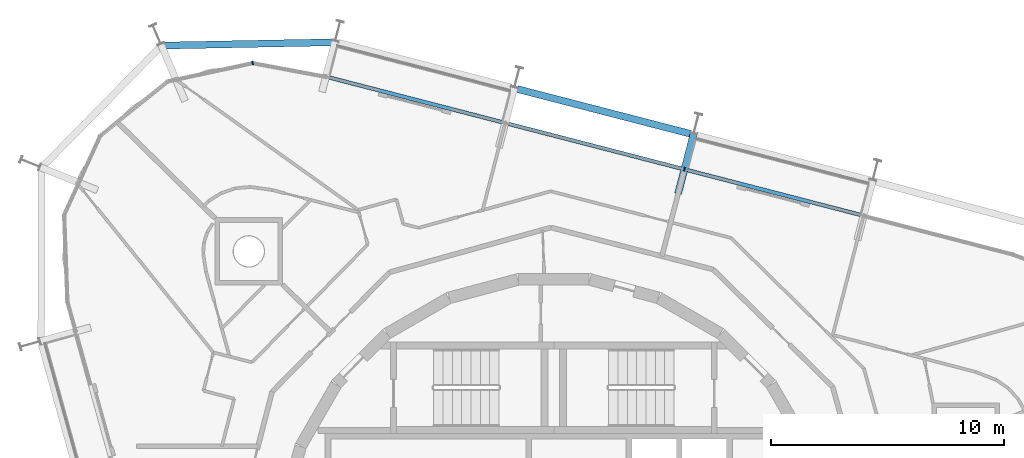
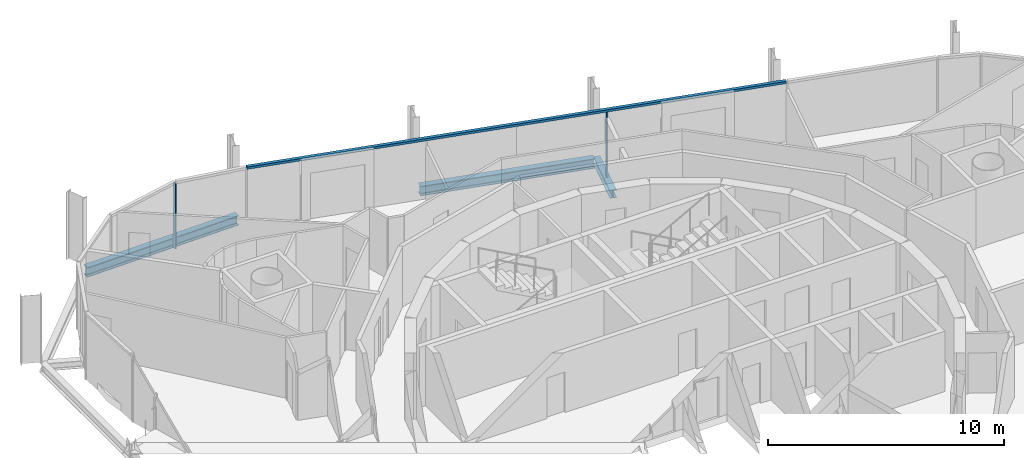
# One storey, part 6 of 16: 3 beams, 3 members, 2 elements without a shape of their own.
"""IFC4 building model written with IfcOpenShell, lengths in metres."""

from ifc_helpers import new_model, si_unit, direction, frame, origin, origin_2d, place, context, subcontext, project, spatial, rectangle, i_section, extrude, material, layer, layer_set, material_profile, profile_set, type_object, element, aggregate, save


model = new_model("IFC4")

# Units and contexts
model_context = context("Model", 3, precision=1e-05, world=origin(), true_north=direction((0.0, 1.0)))
body_context = subcontext(model_context, "Body", "Model", "MODEL_VIEW")
ifc_project = project(units=[si_unit("LENGTHUNIT", "METRE"), si_unit("AREAUNIT", "SQUARE_METRE"), si_unit("VOLUMEUNIT", "CUBIC_METRE"), si_unit("PLANEANGLEUNIT", "RADIAN"), si_unit("MASSUNIT", "GRAM", prefix="KILO")], contexts=[model_context])

# Site, building, storey
site_placement = place(None, origin())
site = spatial("IfcSite", under=ifc_project, at=site_placement, CompositionType="ELEMENT")
building_placement = place(site_placement, origin())
building = spatial("IfcBuilding", under=site, at=building_placement, Name="Spindle Arch Residences", CompositionType="ELEMENT")
storey_placement = place(building_placement, frame((0.0, 0.0, 301.699951171875)))
storey = spatial("IfcBuildingStorey", under=building, at=storey_placement, Name="L77", CompositionType="ELEMENT", Elevation=301.699951171875)

# Curtain wall, member
ifc_material_1 = material(Name="Aluminium bronze unitised frame with tinted glass", Category="aluminium")
ifc_layer_1 = layer(ifc_material_1, 0.159912109375)
ifc_layer_set_1 = layer_set([ifc_layer_1], Name="CW-C typical residential unitised wall")
curtain_wall_type_1 = type_object("IfcCurtainWallType", Name="CW-C typical residential unitised wall", PredefinedType="NOTDEFINED", material=ifc_layer_set_1)
curtain_wall_1_placement = place(storey_placement, origin())
curtain_wall_1 = element("IfcCurtainWall", 1, at=curtain_wall_1_placement, inside=storey, type_object=curtain_wall_type_1, Name="CW-C L77 run 2", PredefinedType="NOTDEFINED")
ifc_material_2 = material(Name="Aluminium bronze anodised mullion", Category="aluminium")
ifc_material_profile_1 = material_profile(ifc_material_2, rectangle(XDim=0.159912109375, YDim=0.06005859375, at=origin_2d()), Name="MU 60x160")
ifc_profile_set_1 = profile_set([ifc_material_profile_1], Name="Aluminium bronze anodised mullion")
member_type_1 = type_object("IfcMemberType", Name="Bronze mullion 60x160", PredefinedType="MULLION", material=ifc_profile_set_1)
member_1_placement = place(storey_placement, frame((5.59814453125, 16.3642578125, -0.3798828125), z_axis=(0.0, 0.0, 1.0), x_axis=(-0.250380004054, -0.968147640378, 0.0)))
member_1 = element("IfcMember", 2, at=member_1_placement, type_object=member_type_1, Name="CW-C mullion 06", PredefinedType="MULLION", context=body_context, shape_type="SweptSolid", body=[
    extrude(rectangle(XDim=0.159912109375, YDim=0.06005859375, at=origin_2d()), origin(), (0.0, 0.0, 1.0), 3.3798828125),
])

ifc_material_3 = material(Name="Aluminium bronze unitised frame with tinted glass", Category="aluminium")
ifc_layer_2 = layer(ifc_material_3, 0.159912109375)
ifc_layer_set_2 = layer_set([ifc_layer_2], Name="CW-D corner wall on the fillet arcs")
curtain_wall_type_2 = type_object("IfcCurtainWallType", Name="CW-D corner wall on the fillet arcs", PredefinedType="NOTDEFINED", material=ifc_layer_set_2)
curtain_wall_2_placement = place(storey_placement, origin())
curtain_wall_2 = element("IfcCurtainWall", 3, at=curtain_wall_2_placement, inside=storey, type_object=curtain_wall_type_2, Name="CW-D L77 run 3", PredefinedType="NOTDEFINED")
member_2_placement = place(storey_placement, frame((-12.908935546875, 20.925537109375, -0.3798828125), z_axis=(0.0, 0.0, 1.0), x_axis=(0.210756129184, -0.977538671364, 0.0)))
member_2 = element("IfcMember", 4, at=member_2_placement, type_object=member_type_1, Name="CW-D mullion 01", PredefinedType="MULLION", context=body_context, shape_type="SweptSolid", body=[
    extrude(rectangle(XDim=0.159912109375, YDim=0.06005859375, at=origin_2d()), origin(), (0.0, 0.0, 1.0), 3.3798828125),
])
aggregate(curtain_wall_2, [member_2])

# Member
ifc_material_4 = material(Name="Aluminium bronze anodised transom", Category="aluminium")
ifc_material_profile_2 = material_profile(ifc_material_4, rectangle(XDim=0.159912109375, YDim=0.1201171875, at=origin_2d()), Name="TR 120x160")
ifc_profile_set_2 = profile_set([ifc_material_profile_2], Name="Aluminium bronze anodised transom")
member_type_2 = type_object("IfcMemberType", Name="Bronze transom 120x160", PredefinedType="USERDEFINED", material=ifc_profile_set_2)
member_3_placement = place(storey_placement, frame((13.25146484375, 14.385009765625, 3.06005859375), z_axis=(-0.96814815777, 0.250378003441, 0.0), x_axis=(-0.250378003441, -0.96814815777, 0.0)))
member_3 = element("IfcMember", 5, at=member_3_placement, type_object=member_type_2, Name="CW-C transom 00", ObjectType="TRANSOM", PredefinedType="USERDEFINED", context=body_context, shape_type="SweptSolid", body=[
    extrude(rectangle(XDim=0.159912109375, YDim=0.1201171875, at=origin_2d()), origin(), (0.0, 0.0, 1.0), 23.745361328125),
])

aggregate(curtain_wall_1, [member_3, member_1])

# Beams
ifc_material_5 = material(Name="Steel S460ML, intumescent coating R 120", Category="steel")
ifc_material_profile_3 = material_profile(ifc_material_5, i_section(OverallWidth=0.300048828125, OverallDepth=0.5, WebThickness=0.014404296875, FlangeThickness=0.028076171875, FilletRadius=0.027099609375, at=origin_2d()), Name="HEB 500")
ifc_profile_set_3 = profile_set([ifc_material_profile_3], Name="Steel S460ML, intumescent coating R 120")
beam_type_1 = type_object("IfcBeamType", Name="Exoskeleton edge beam HEB 500", PredefinedType="BEAM", material=ifc_profile_set_3)
beam_1_placement = place(storey_placement, frame((5.85791015625, 17.8876953125, -0.6298828125), z_axis=(-0.968149836341, 0.250371512743, 0.0), x_axis=(-0.250371512743, -0.968149836341, 0.0)))
element("IfcBeam", 6, at=beam_1_placement, inside=storey, type_object=beam_type_1, Name="Exoskeleton edge beam 7", PredefinedType="BEAM", context=body_context, shape_type="SweptSolid", body=[
    extrude(i_section(OverallWidth=0.300048828125, OverallDepth=0.5, WebThickness=0.014404296875, FlangeThickness=0.028076171875, FilletRadius=0.027099609375, at=origin_2d()), origin(), (0.0, 0.0, 1.0), 7.675048828125),
])
beam_2_placement = place(storey_placement, frame((-9.355224609375, 21.812255859375, -0.6298828125), z_axis=(-0.999816137615, -0.019175269612, 0.0), x_axis=(0.019175269612, -0.999816137615, 0.0)))
element("IfcBeam", 7, at=beam_2_placement, inside=storey, type_object=beam_type_1, Name="Exoskeleton edge beam 9", PredefinedType="BEAM", context=body_context, shape_type="SweptSolid", body=[
    extrude(i_section(OverallWidth=0.300048828125, OverallDepth=0.5, WebThickness=0.014404296875, FlangeThickness=0.028076171875, FilletRadius=0.027099609375, at=origin_2d()), origin(), (0.0, 0.0, 1.0), 7.499267578125),
])
ifc_material_6 = material(Name="Steel S460ML, intumescent coating R 120", Category="steel")
ifc_material_profile_4 = material_profile(ifc_material_6, i_section(OverallWidth=0.300048828125, OverallDepth=0.389892578125, WebThickness=0.010986328125, FlangeThickness=0.01904296875, FilletRadius=0.027099609375, at=origin_2d()), Name="HEA 400")
ifc_profile_set_4 = profile_set([ifc_material_profile_4], Name="Steel S460ML, intumescent coating R 120")
beam_type_2 = type_object("IfcBeamType", Name="Floor outrigger HEA 400", PredefinedType="BEAM", material=ifc_profile_set_4)
beam_3_placement = place(storey_placement, frame((5.9912109375, 17.88427734375, -0.574951171875), z_axis=(-0.250396221036, -0.968143446237, 0.0), x_axis=(0.968143446237, -0.250396221036, 0.0)))
element("IfcBeam", 8, at=beam_3_placement, inside=storey, type_object=beam_type_2, Name="Floor outrigger 7", PredefinedType="BEAM", context=body_context, shape_type="SweptSolid", body=[
    extrude(i_section(OverallWidth=0.300048828125, OverallDepth=0.389892578125, WebThickness=0.010986328125, FlangeThickness=0.01904296875, FilletRadius=0.027099609375, at=origin_2d()), origin(), (0.0, 0.0, 1.0), 2.650146484375),
])

save(model, "model.ifc")
